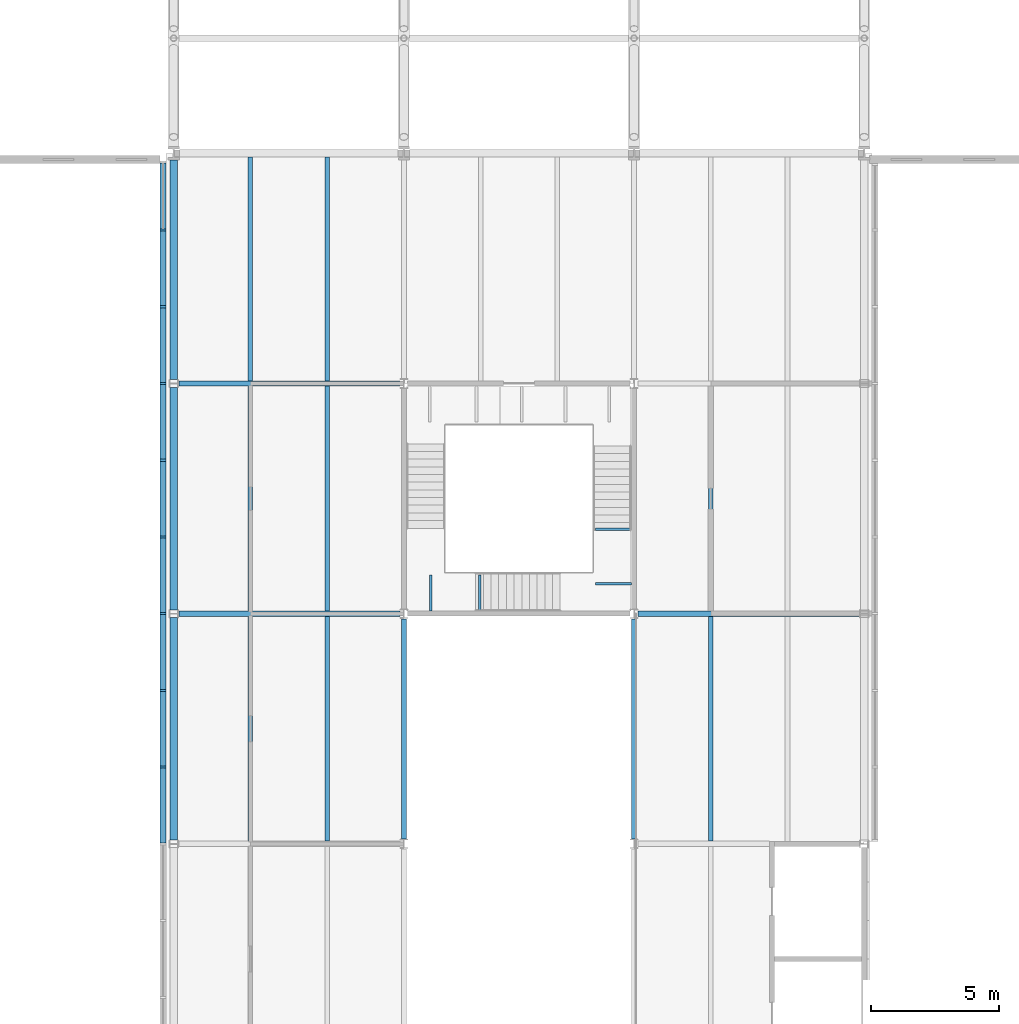
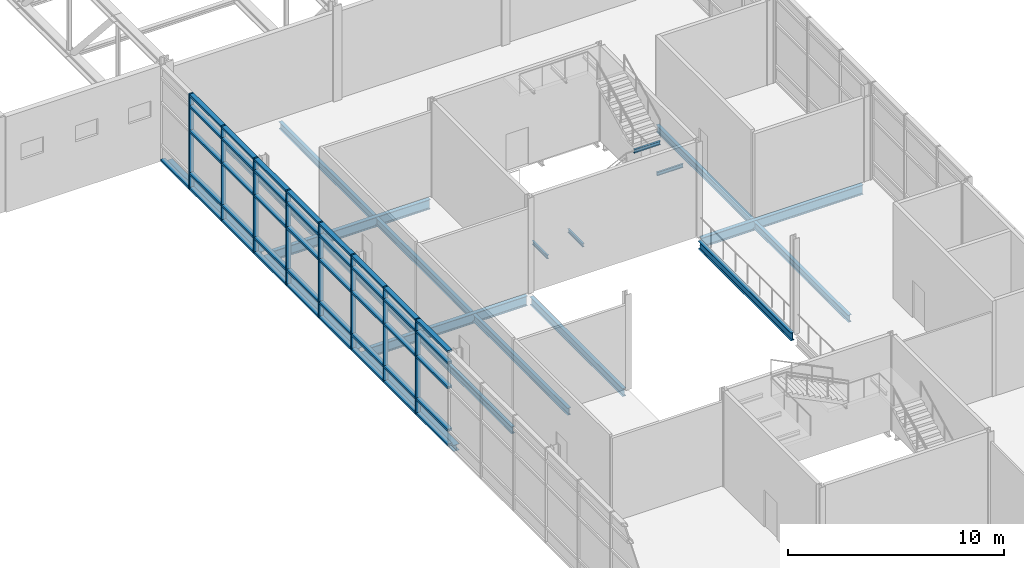
# One storey, part 17 of 53: 49 members, 20 beams, 1 element without a shape of its own.
"""IFC4 building model written with IfcOpenShell, lengths in metres."""

from ifc_helpers import new_model, si_unit, direction, frame, origin, origin_2d, place, context, subcontext, project, spatial, rectangle, i_section, extrude, material, material_profile, profile_set, type_object, element, aggregate, save


model = new_model("IFC4")

# Units and contexts
model_context = context("Model", 3, precision=1e-05, world=origin(), true_north=direction((0.0, 1.0)))
body_context = subcontext(model_context, "Body", "Model", "MODEL_VIEW")
ifc_project = project(units=[si_unit("LENGTHUNIT", "METRE"), si_unit("AREAUNIT", "SQUARE_METRE"), si_unit("VOLUMEUNIT", "CUBIC_METRE"), si_unit("PLANEANGLEUNIT", "RADIAN"), si_unit("MASSUNIT", "GRAM", prefix="KILO")], contexts=[model_context])

# Site, building, storey
site_placement = place(None, origin())
site = spatial("IfcSite", under=ifc_project, at=site_placement, CompositionType="ELEMENT")
building_placement = place(site_placement, origin())
building = spatial("IfcBuilding", under=site, at=building_placement, Name="Azimuth Sports and Learning Centre", CompositionType="ELEMENT")
storey_placement = place(building_placement, frame((0.0, 0.0, 10.800048828125)))
storey = spatial("IfcBuildingStorey", under=building, at=storey_placement, Name="L02", CompositionType="ELEMENT", Elevation=10.800048828125)

# Beams
ifc_material_1 = material(Name="Steel S355", Category="steel")
ifc_material_profile_1 = material_profile(ifc_material_1, i_section(OverallWidth=0.10009765625, OverallDepth=0.199951171875, WebThickness=0.005615234375, FlangeThickness=0.008544921875, FilletRadius=0.011962890625, at=origin_2d()), Name="IPE 200")
ifc_profile_set_1 = profile_set([ifc_material_profile_1], Name="Steel S355")
beam_type_1 = type_object("IfcBeamType", Name="Beam IPE 200", PredefinedType="BEAM", material=ifc_profile_set_1)
for number, where, z_axis, x_axis, name in (
    (1, (82.06005859375, 72.10009765625, 1.5), (0.0, 1.0, 0.0), (-1.0, 0.0, 0.0), "Landing bracket STD L02 1179"),
    (2, (83.9599609375, 72.10009765625, 1.5), (0.0, 1.0, 0.0), (-1.0, 0.0, 0.0), "Landing bracket STD L02 1180"),
    (3, (89.89990234375, 73.172607421875, 3.300048828125), (-1.0, 0.0, 0.0), (0.0, -1.0, 0.0), "Landing bracket STD L02 1181"),
    (4, (89.89990234375, 75.297607421875, 3.300048828125), (-1.0, 0.0, 0.0), (0.0, -1.0, 0.0), "Landing bracket STD L02 1182"),
):
    element("IfcBeam", number, at=place(storey_placement, frame(where, z_axis=z_axis, x_axis=x_axis)), inside=storey, type_object=beam_type_1, Name=name, PredefinedType="BEAM", context=body_context, shape_type="SweptSolid", body=[
        extrude(i_section(OverallWidth=0.10009765625, OverallDepth=0.199951171875, WebThickness=0.005615234375, FlangeThickness=0.008544921875, FilletRadius=0.011962890625, at=origin_2d()), origin(), (0.0, 0.0, 1.0), 1.409912109375),
    ])
ifc_material_2 = material(Name="Steel S355", Category="steel")
ifc_material_profile_2 = material_profile(ifc_material_2, i_section(OverallWidth=0.18994140625, OverallDepth=0.449951171875, WebThickness=0.009521484375, FlangeThickness=0.0146484375, FilletRadius=0.02099609375, at=origin_2d()), Name="IPE 450")
ifc_profile_set_2 = profile_set([ifc_material_profile_2], Name="Steel S355")
beam_type_2 = type_object("IfcBeamType", Name="Beam IPE 450", PredefinedType="BEAM", material=ifc_profile_set_2)
for number, where, z_axis, x_axis, name in (
    (5, (81.0, 63.199951171875, -0.375), (0.0, 1.0, 0.0), (-1.0, 0.0, 0.0), "Beam L02 ST 33"),
    (6, (90.0, 63.199951171875, -0.375), (0.0, 1.0, 0.0), (-1.0, 0.0, 0.0), "Beam L02 ST 39"),
):
    element("IfcBeam", number, at=place(storey_placement, frame(where, z_axis=z_axis, x_axis=x_axis)), inside=storey, type_object=beam_type_2, Name=name, PredefinedType="BEAM", context=body_context, shape_type="SweptSolid", body=[
        extrude(i_section(OverallWidth=0.18994140625, OverallDepth=0.449951171875, WebThickness=0.009521484375, FlangeThickness=0.0146484375, FilletRadius=0.02099609375, at=origin_2d()), origin(), (0.0, 0.0, 1.0), 8.60009765625),
    ])
ifc_material_3 = material(Name="Steel S355", Category="steel")
ifc_material_profile_3 = material_profile(ifc_material_3, i_section(OverallWidth=0.2099609375, OverallDepth=0.550048828125, WebThickness=0.010986328125, FlangeThickness=0.01708984375, FilletRadius=0.02392578125, at=origin_2d()), Name="IPE 550")
ifc_profile_set_3 = profile_set([ifc_material_profile_3], Name="Steel S355")
beam_type_3 = type_object("IfcBeamType", Name="Beam IPE 550", PredefinedType="BEAM", material=ifc_profile_set_3)
for number, where, z_axis, x_axis, name in (
    (7, (72.199951171875, 72.0, -0.425048828125), (1.0, 0.0, 0.0), (0.0, 1.0, 0.0), "Beam L02 ST 14"),
    (8, (90.14990234375, 72.0, -0.425048828125), (1.0, 0.0, 0.0), (0.0, 1.0, 0.0), "Beam L02 ST 15"),
    (9, (72.199951171875, 81.0, -0.425048828125), (1.0, 0.0, 0.0), (0.0, 1.0, 0.0), "Beam L02 ST 16"),
):
    element("IfcBeam", number, at=place(storey_placement, frame(where, z_axis=z_axis, x_axis=x_axis)), inside=storey, type_object=beam_type_3, Name=name, PredefinedType="BEAM", context=body_context, shape_type="SweptSolid", body=[
        extrude(i_section(OverallWidth=0.2099609375, OverallDepth=0.550048828125, WebThickness=0.010986328125, FlangeThickness=0.01708984375, FilletRadius=0.02392578125, at=origin_2d()), origin(), (0.0, 0.0, 1.0), 8.650146484375),
    ])
ifc_material_4 = material(Name="Steel S355", Category="steel")
ifc_material_profile_4 = material_profile(ifc_material_4, i_section(OverallWidth=0.300048828125, OverallDepth=0.35009765625, WebThickness=0.010009765625, FlangeThickness=0.017578125, FilletRadius=0.027099609375, at=origin_2d()), Name="HEA 360")
ifc_profile_set_4 = profile_set([ifc_material_profile_4], Name="Steel S355")
beam_type_4 = type_object("IfcBeamType", Name="Edge beam HEA 360", PredefinedType="SPANDREL", material=ifc_profile_set_4)
for number, where, z_axis, x_axis, name in (
    (10, (72.0, 63.14990234375, -0.324951171875), (0.0, 1.0, 0.0), (-1.0, 0.0, 0.0), "Edge beam L02 ST 26"),
    (11, (72.0, 72.14990234375, -0.324951171875), (0.0, 1.0, 0.0), (-1.0, 0.0, 0.0), "Edge beam L02 ST 27"),
):
    element("IfcBeam", number, at=place(storey_placement, frame(where, z_axis=z_axis, x_axis=x_axis)), inside=storey, type_object=beam_type_4, Name=name, PredefinedType="SPANDREL", context=body_context, shape_type="SweptSolid", body=[
        extrude(i_section(OverallWidth=0.300048828125, OverallDepth=0.35009765625, WebThickness=0.010009765625, FlangeThickness=0.017578125, FilletRadius=0.027099609375, at=origin_2d()), origin(), (0.0, 0.0, 1.0), 8.7001953125),
    ])
beam_1_placement = place(storey_placement, frame((72.0, 81.14990234375, -0.324951171875), z_axis=(0.0, 1.0, 0.0), x_axis=(-1.0, 0.0, 0.0)))
element("IfcBeam", 12, at=beam_1_placement, inside=storey, type_object=beam_type_4, Name="Edge beam L02 ST 28", PredefinedType="SPANDREL", context=body_context, shape_type="SweptSolid", body=[
    extrude(i_section(OverallWidth=0.300048828125, OverallDepth=0.35009765625, WebThickness=0.010009765625, FlangeThickness=0.017578125, FilletRadius=0.027099609375, at=origin_2d()), origin(), (0.0, 0.0, 1.0), 8.584716796875),
])
ifc_material_5 = material(Name="Steel S355", Category="steel")
ifc_material_profile_5 = material_profile(ifc_material_5, i_section(OverallWidth=0.179931640625, OverallDepth=0.39990234375, WebThickness=0.008544921875, FlangeThickness=0.013427734375, FilletRadius=0.02099609375, at=origin_2d()), Name="IPE 400")
ifc_profile_set_5 = profile_set([ifc_material_profile_5], Name="Steel S355")
beam_type_5 = type_object("IfcBeamType", Name="Joist IPE 400", PredefinedType="JOIST", material=ifc_profile_set_5)
for number, where, z_axis, x_axis, name in (
    (13, (75.0, 63.10498046875, -0.35009765625), (0.0, 1.0, 0.0), (-1.0, 0.0, 0.0), "Joist L02 ST 53"),
    (14, (75.0, 72.10498046875, -0.35009765625), (0.0, 1.0, 0.0), (-1.0, 0.0, 0.0), "Joist L02 ST 54"),
):
    element("IfcBeam", number, at=place(storey_placement, frame(where, z_axis=z_axis, x_axis=x_axis)), inside=storey, type_object=beam_type_5, Name=name, PredefinedType="JOIST", context=body_context, shape_type="SweptSolid", body=[
        extrude(i_section(OverallWidth=0.179931640625, OverallDepth=0.39990234375, WebThickness=0.008544921875, FlangeThickness=0.013427734375, FilletRadius=0.02099609375, at=origin_2d()), origin(), (0.0, 0.0, 1.0), 8.7900390625),
    ])
beam_2_placement = place(storey_placement, frame((75.0, 81.10498046875, -0.35009765625), z_axis=(0.0, 1.0, 0.0), x_axis=(-1.0, 0.0, 0.0)))
element("IfcBeam", 15, at=beam_2_placement, inside=storey, type_object=beam_type_5, Name="Joist L02 ST 55", PredefinedType="JOIST", context=body_context, shape_type="SweptSolid", body=[
    extrude(i_section(OverallWidth=0.179931640625, OverallDepth=0.39990234375, WebThickness=0.008544921875, FlangeThickness=0.013427734375, FilletRadius=0.02099609375, at=origin_2d()), origin(), (0.0, 0.0, 1.0), 8.7451171875),
])
for number, where, z_axis, x_axis, name in (
    (16, (78.0, 63.10498046875, -0.35009765625), (0.0, 1.0, 0.0), (-1.0, 0.0, 0.0), "Joist L02 ST 61"),
    (17, (78.0, 72.10498046875, -0.35009765625), (0.0, 1.0, 0.0), (-1.0, 0.0, 0.0), "Joist L02 ST 62"),
):
    element("IfcBeam", number, at=place(storey_placement, frame(where, z_axis=z_axis, x_axis=x_axis)), inside=storey, type_object=beam_type_5, Name=name, PredefinedType="JOIST", context=body_context, shape_type="SweptSolid", body=[
        extrude(i_section(OverallWidth=0.179931640625, OverallDepth=0.39990234375, WebThickness=0.008544921875, FlangeThickness=0.013427734375, FilletRadius=0.02099609375, at=origin_2d()), origin(), (0.0, 0.0, 1.0), 8.7900390625),
    ])
beam_3_placement = place(storey_placement, frame((78.0, 81.10498046875, -0.35009765625), z_axis=(0.0, 1.0, 0.0), x_axis=(-1.0, 0.0, 0.0)))
element("IfcBeam", 18, at=beam_3_placement, inside=storey, type_object=beam_type_5, Name="Joist L02 ST 63", PredefinedType="JOIST", context=body_context, shape_type="SweptSolid", body=[
    extrude(i_section(OverallWidth=0.179931640625, OverallDepth=0.39990234375, WebThickness=0.008544921875, FlangeThickness=0.013427734375, FilletRadius=0.02099609375, at=origin_2d()), origin(), (0.0, 0.0, 1.0), 8.7451171875),
])
for number, where, z_axis, x_axis, name in (
    (19, (93.0, 63.10498046875, -0.35009765625), (0.0, 1.0, 0.0), (-1.0, 0.0, 0.0), "Joist L02 ST 81"),
    (20, (93.0, 72.10498046875, -0.35009765625), (0.0, 1.0, 0.0), (-1.0, 0.0, 0.0), "Joist L02 ST 82"),
):
    element("IfcBeam", number, at=place(storey_placement, frame(where, z_axis=z_axis, x_axis=x_axis)), inside=storey, type_object=beam_type_5, Name=name, PredefinedType="JOIST", context=body_context, shape_type="SweptSolid", body=[
        extrude(i_section(OverallWidth=0.179931640625, OverallDepth=0.39990234375, WebThickness=0.008544921875, FlangeThickness=0.013427734375, FilletRadius=0.02099609375, at=origin_2d()), origin(), (0.0, 0.0, 1.0), 8.7900390625),
    ])

# Curtain wall, members
ifc_material_6 = material(Name="Aluminium and glass", Category="aluminium")
curtain_wall_type = type_object("IfcCurtainWallType", Name="Curtain wall podium stem 240", PredefinedType="NOTDEFINED", material=ifc_material_6)
curtain_wall_placement = place(storey_placement, origin())
curtain_wall = element("IfcCurtainWall", 21, at=curtain_wall_placement, inside=storey, type_object=curtain_wall_type, Name="Curtain wall CW02-003", PredefinedType="NOTDEFINED")
ifc_material_7 = material(Name="Aluminium", Category="aluminium")
ifc_material_profile_6 = material_profile(ifc_material_7, rectangle(XDim=0.239990234375, YDim=0.080078125, at=origin_2d()), Name="Mullion 80x240")
ifc_profile_set_6 = profile_set([ifc_material_profile_6], Name="Aluminium")
member_type_1 = type_object("IfcMemberType", Name="Mullion 80x240", PredefinedType="MULLION", material=ifc_profile_set_6)
member_1_placement = place(storey_placement, frame((71.580078125, 87.0, 0.0), z_axis=(0.0, 0.0, 1.0), x_axis=(1.0, 0.0, 0.0)))
member_1 = element("IfcMember", 22, at=member_1_placement, type_object=member_type_1, Name="CW02-003 mullion 2", PredefinedType="MULLION", context=body_context, shape_type="SweptSolid", body=[
    extrude(rectangle(XDim=0.239990234375, YDim=0.080078125, at=origin_2d()), origin(), (0.0, 0.0, 1.0), 5.39990234375),
])
member_2_placement = place(storey_placement, frame((71.580078125, 84.0, 0.0), z_axis=(0.0, 0.0, 1.0), x_axis=(1.0, 0.0, 0.0)))
member_2 = element("IfcMember", 23, at=member_2_placement, type_object=member_type_1, Name="CW02-003 mullion 3", PredefinedType="MULLION", context=body_context, shape_type="SweptSolid", body=[
    extrude(rectangle(XDim=0.239990234375, YDim=0.080078125, at=origin_2d()), origin(), (0.0, 0.0, 1.0), 5.39990234375),
])
member_3_placement = place(storey_placement, frame((71.580078125, 81.0, 0.0), z_axis=(0.0, 0.0, 1.0), x_axis=(1.0, 0.0, 0.0)))
member_3 = element("IfcMember", 24, at=member_3_placement, type_object=member_type_1, Name="CW02-003 mullion 4", PredefinedType="MULLION", context=body_context, shape_type="SweptSolid", body=[
    extrude(rectangle(XDim=0.239990234375, YDim=0.080078125, at=origin_2d()), origin(), (0.0, 0.0, 1.0), 5.39990234375),
])
member_4_placement = place(storey_placement, frame((71.580078125, 78.0, 0.0), z_axis=(0.0, 0.0, 1.0), x_axis=(1.0, 0.0, 0.0)))
member_4 = element("IfcMember", 25, at=member_4_placement, type_object=member_type_1, Name="CW02-003 mullion 5", PredefinedType="MULLION", context=body_context, shape_type="SweptSolid", body=[
    extrude(rectangle(XDim=0.239990234375, YDim=0.080078125, at=origin_2d()), origin(), (0.0, 0.0, 1.0), 5.39990234375),
])
member_5_placement = place(storey_placement, frame((71.580078125, 75.0, 0.0), z_axis=(0.0, 0.0, 1.0), x_axis=(1.0, 0.0, 0.0)))
member_5 = element("IfcMember", 26, at=member_5_placement, type_object=member_type_1, Name="CW02-003 mullion 6", PredefinedType="MULLION", context=body_context, shape_type="SweptSolid", body=[
    extrude(rectangle(XDim=0.239990234375, YDim=0.080078125, at=origin_2d()), origin(), (0.0, 0.0, 1.0), 5.39990234375),
])
member_6_placement = place(storey_placement, frame((71.580078125, 72.0, 0.0), z_axis=(0.0, 0.0, 1.0), x_axis=(1.0, 0.0, 0.0)))
member_6 = element("IfcMember", 27, at=member_6_placement, type_object=member_type_1, Name="CW02-003 mullion 7", PredefinedType="MULLION", context=body_context, shape_type="SweptSolid", body=[
    extrude(rectangle(XDim=0.239990234375, YDim=0.080078125, at=origin_2d()), origin(), (0.0, 0.0, 1.0), 5.39990234375),
])
member_7_placement = place(storey_placement, frame((71.580078125, 69.0, 0.0), z_axis=(0.0, 0.0, 1.0), x_axis=(1.0, 0.0, 0.0)))
member_7 = element("IfcMember", 28, at=member_7_placement, type_object=member_type_1, Name="CW02-003 mullion 8", PredefinedType="MULLION", context=body_context, shape_type="SweptSolid", body=[
    extrude(rectangle(XDim=0.239990234375, YDim=0.080078125, at=origin_2d()), origin(), (0.0, 0.0, 1.0), 5.39990234375),
])
member_8_placement = place(storey_placement, frame((71.580078125, 66.0, 0.0), z_axis=(0.0, 0.0, 1.0), x_axis=(1.0, 0.0, 0.0)))
member_8 = element("IfcMember", 29, at=member_8_placement, type_object=member_type_1, Name="CW02-003 mullion 9", PredefinedType="MULLION", context=body_context, shape_type="SweptSolid", body=[
    extrude(rectangle(XDim=0.239990234375, YDim=0.080078125, at=origin_2d()), origin(), (0.0, 0.0, 1.0), 5.39990234375),
])
ifc_material_8 = material(Name="Aluminium", Category="aluminium")
ifc_material_profile_7 = material_profile(ifc_material_8, rectangle(XDim=0.239990234375, YDim=0.1201171875, at=origin_2d()), Name="Transom 120x240")
ifc_profile_set_7 = profile_set([ifc_material_profile_7], Name="Aluminium")
member_type_2 = type_object("IfcMemberType", Name="Transom 120x240", PredefinedType="USERDEFINED", material=ifc_profile_set_7)
member_9_placement = place(storey_placement, frame((71.580078125, 89.6201171875, 0.06005859375), z_axis=(0.0, -1.0, 0.0), x_axis=(1.0, 0.0, 0.0)))
member_9 = element("IfcMember", 30, at=member_9_placement, type_object=member_type_2, Name="CW02-003 transom 1.1", ObjectType="TRANSOM", PredefinedType="USERDEFINED", context=body_context, shape_type="SweptSolid", body=[
    extrude(rectangle(XDim=0.239990234375, YDim=0.1201171875, at=origin_2d()), origin(), (0.0, 0.0, 1.0), 2.580078125),
])
member_10_placement = place(storey_placement, frame((71.580078125, 86.9599609375, 0.06005859375), z_axis=(0.0, -1.0, 0.0), x_axis=(1.0, 0.0, 0.0)))
member_10 = element("IfcMember", 31, at=member_10_placement, type_object=member_type_2, Name="CW02-003 transom 2.1", ObjectType="TRANSOM", PredefinedType="USERDEFINED", context=body_context, shape_type="SweptSolid", body=[
    extrude(rectangle(XDim=0.239990234375, YDim=0.1201171875, at=origin_2d()), origin(), (0.0, 0.0, 1.0), 2.919921875),
])
member_11_placement = place(storey_placement, frame((71.580078125, 86.9599609375, 0.89990234375), z_axis=(0.0, -1.0, 0.0), x_axis=(1.0, 0.0, 0.0)))
member_11 = element("IfcMember", 32, at=member_11_placement, type_object=member_type_2, Name="CW02-003 transom 2.2", ObjectType="TRANSOM", PredefinedType="USERDEFINED", context=body_context, shape_type="SweptSolid", body=[
    extrude(rectangle(XDim=0.239990234375, YDim=0.1201171875, at=origin_2d()), origin(), (0.0, 0.0, 1.0), 2.919921875),
])
member_12_placement = place(storey_placement, frame((71.580078125, 86.9599609375, 3.300048828125), z_axis=(0.0, -1.0, 0.0), x_axis=(1.0, 0.0, 0.0)))
member_12 = element("IfcMember", 33, at=member_12_placement, type_object=member_type_2, Name="CW02-003 transom 2.3", ObjectType="TRANSOM", PredefinedType="USERDEFINED", context=body_context, shape_type="SweptSolid", body=[
    extrude(rectangle(XDim=0.239990234375, YDim=0.1201171875, at=origin_2d()), origin(), (0.0, 0.0, 1.0), 2.919921875),
])
member_13_placement = place(storey_placement, frame((71.580078125, 86.9599609375, 4.699951171875), z_axis=(0.0, -1.0, 0.0), x_axis=(1.0, 0.0, 0.0)))
member_13 = element("IfcMember", 34, at=member_13_placement, type_object=member_type_2, Name="CW02-003 transom 2.4", ObjectType="TRANSOM", PredefinedType="USERDEFINED", context=body_context, shape_type="SweptSolid", body=[
    extrude(rectangle(XDim=0.239990234375, YDim=0.1201171875, at=origin_2d()), origin(), (0.0, 0.0, 1.0), 2.919921875),
])
member_14_placement = place(storey_placement, frame((71.580078125, 86.9599609375, 5.33984375), z_axis=(0.0, -1.0, 0.0), x_axis=(1.0, 0.0, 0.0)))
member_14 = element("IfcMember", 35, at=member_14_placement, type_object=member_type_2, Name="CW02-003 transom 2.5", ObjectType="TRANSOM", PredefinedType="USERDEFINED", context=body_context, shape_type="SweptSolid", body=[
    extrude(rectangle(XDim=0.239990234375, YDim=0.1201171875, at=origin_2d()), origin(), (0.0, 0.0, 1.0), 2.919921875),
])
member_15_placement = place(storey_placement, frame((71.580078125, 83.9599609375, 0.06005859375), z_axis=(0.0, -1.0, 0.0), x_axis=(1.0, 0.0, 0.0)))
member_15 = element("IfcMember", 36, at=member_15_placement, type_object=member_type_2, Name="CW02-003 transom 3.1", ObjectType="TRANSOM", PredefinedType="USERDEFINED", context=body_context, shape_type="SweptSolid", body=[
    extrude(rectangle(XDim=0.239990234375, YDim=0.1201171875, at=origin_2d()), origin(), (0.0, 0.0, 1.0), 2.919921875),
])
member_16_placement = place(storey_placement, frame((71.580078125, 83.9599609375, 0.89990234375), z_axis=(0.0, -1.0, 0.0), x_axis=(1.0, 0.0, 0.0)))
member_16 = element("IfcMember", 37, at=member_16_placement, type_object=member_type_2, Name="CW02-003 transom 3.2", ObjectType="TRANSOM", PredefinedType="USERDEFINED", context=body_context, shape_type="SweptSolid", body=[
    extrude(rectangle(XDim=0.239990234375, YDim=0.1201171875, at=origin_2d()), origin(), (0.0, 0.0, 1.0), 2.919921875),
])
member_17_placement = place(storey_placement, frame((71.580078125, 83.9599609375, 3.300048828125), z_axis=(0.0, -1.0, 0.0), x_axis=(1.0, 0.0, 0.0)))
member_17 = element("IfcMember", 38, at=member_17_placement, type_object=member_type_2, Name="CW02-003 transom 3.3", ObjectType="TRANSOM", PredefinedType="USERDEFINED", context=body_context, shape_type="SweptSolid", body=[
    extrude(rectangle(XDim=0.239990234375, YDim=0.1201171875, at=origin_2d()), origin(), (0.0, 0.0, 1.0), 2.919921875),
])
member_18_placement = place(storey_placement, frame((71.580078125, 83.9599609375, 4.699951171875), z_axis=(0.0, -1.0, 0.0), x_axis=(1.0, 0.0, 0.0)))
member_18 = element("IfcMember", 39, at=member_18_placement, type_object=member_type_2, Name="CW02-003 transom 3.4", ObjectType="TRANSOM", PredefinedType="USERDEFINED", context=body_context, shape_type="SweptSolid", body=[
    extrude(rectangle(XDim=0.239990234375, YDim=0.1201171875, at=origin_2d()), origin(), (0.0, 0.0, 1.0), 2.919921875),
])
member_19_placement = place(storey_placement, frame((71.580078125, 83.9599609375, 5.33984375), z_axis=(0.0, -1.0, 0.0), x_axis=(1.0, 0.0, 0.0)))
member_19 = element("IfcMember", 40, at=member_19_placement, type_object=member_type_2, Name="CW02-003 transom 3.5", ObjectType="TRANSOM", PredefinedType="USERDEFINED", context=body_context, shape_type="SweptSolid", body=[
    extrude(rectangle(XDim=0.239990234375, YDim=0.1201171875, at=origin_2d()), origin(), (0.0, 0.0, 1.0), 2.919921875),
])
member_20_placement = place(storey_placement, frame((71.580078125, 80.9599609375, 0.06005859375), z_axis=(0.0, -1.0, 0.0), x_axis=(1.0, 0.0, 0.0)))
member_20 = element("IfcMember", 41, at=member_20_placement, type_object=member_type_2, Name="CW02-003 transom 4.1", ObjectType="TRANSOM", PredefinedType="USERDEFINED", context=body_context, shape_type="SweptSolid", body=[
    extrude(rectangle(XDim=0.239990234375, YDim=0.1201171875, at=origin_2d()), origin(), (0.0, 0.0, 1.0), 2.919921875),
])
member_21_placement = place(storey_placement, frame((71.580078125, 80.9599609375, 0.89990234375), z_axis=(0.0, -1.0, 0.0), x_axis=(1.0, 0.0, 0.0)))
member_21 = element("IfcMember", 42, at=member_21_placement, type_object=member_type_2, Name="CW02-003 transom 4.2", ObjectType="TRANSOM", PredefinedType="USERDEFINED", context=body_context, shape_type="SweptSolid", body=[
    extrude(rectangle(XDim=0.239990234375, YDim=0.1201171875, at=origin_2d()), origin(), (0.0, 0.0, 1.0), 2.919921875),
])
member_22_placement = place(storey_placement, frame((71.580078125, 80.9599609375, 3.300048828125), z_axis=(0.0, -1.0, 0.0), x_axis=(1.0, 0.0, 0.0)))
member_22 = element("IfcMember", 43, at=member_22_placement, type_object=member_type_2, Name="CW02-003 transom 4.3", ObjectType="TRANSOM", PredefinedType="USERDEFINED", context=body_context, shape_type="SweptSolid", body=[
    extrude(rectangle(XDim=0.239990234375, YDim=0.1201171875, at=origin_2d()), origin(), (0.0, 0.0, 1.0), 2.919921875),
])
member_23_placement = place(storey_placement, frame((71.580078125, 80.9599609375, 4.699951171875), z_axis=(0.0, -1.0, 0.0), x_axis=(1.0, 0.0, 0.0)))
member_23 = element("IfcMember", 44, at=member_23_placement, type_object=member_type_2, Name="CW02-003 transom 4.4", ObjectType="TRANSOM", PredefinedType="USERDEFINED", context=body_context, shape_type="SweptSolid", body=[
    extrude(rectangle(XDim=0.239990234375, YDim=0.1201171875, at=origin_2d()), origin(), (0.0, 0.0, 1.0), 2.919921875),
])
member_24_placement = place(storey_placement, frame((71.580078125, 80.9599609375, 5.33984375), z_axis=(0.0, -1.0, 0.0), x_axis=(1.0, 0.0, 0.0)))
member_24 = element("IfcMember", 45, at=member_24_placement, type_object=member_type_2, Name="CW02-003 transom 4.5", ObjectType="TRANSOM", PredefinedType="USERDEFINED", context=body_context, shape_type="SweptSolid", body=[
    extrude(rectangle(XDim=0.239990234375, YDim=0.1201171875, at=origin_2d()), origin(), (0.0, 0.0, 1.0), 2.919921875),
])
member_25_placement = place(storey_placement, frame((71.580078125, 77.9599609375, 0.06005859375), z_axis=(0.0, -1.0, 0.0), x_axis=(1.0, 0.0, 0.0)))
member_25 = element("IfcMember", 46, at=member_25_placement, type_object=member_type_2, Name="CW02-003 transom 5.1", ObjectType="TRANSOM", PredefinedType="USERDEFINED", context=body_context, shape_type="SweptSolid", body=[
    extrude(rectangle(XDim=0.239990234375, YDim=0.1201171875, at=origin_2d()), origin(), (0.0, 0.0, 1.0), 2.919921875),
])
member_26_placement = place(storey_placement, frame((71.580078125, 77.9599609375, 0.89990234375), z_axis=(0.0, -1.0, 0.0), x_axis=(1.0, 0.0, 0.0)))
member_26 = element("IfcMember", 47, at=member_26_placement, type_object=member_type_2, Name="CW02-003 transom 5.2", ObjectType="TRANSOM", PredefinedType="USERDEFINED", context=body_context, shape_type="SweptSolid", body=[
    extrude(rectangle(XDim=0.239990234375, YDim=0.1201171875, at=origin_2d()), origin(), (0.0, 0.0, 1.0), 2.919921875),
])
member_27_placement = place(storey_placement, frame((71.580078125, 77.9599609375, 3.300048828125), z_axis=(0.0, -1.0, 0.0), x_axis=(1.0, 0.0, 0.0)))
member_27 = element("IfcMember", 48, at=member_27_placement, type_object=member_type_2, Name="CW02-003 transom 5.3", ObjectType="TRANSOM", PredefinedType="USERDEFINED", context=body_context, shape_type="SweptSolid", body=[
    extrude(rectangle(XDim=0.239990234375, YDim=0.1201171875, at=origin_2d()), origin(), (0.0, 0.0, 1.0), 2.919921875),
])
member_28_placement = place(storey_placement, frame((71.580078125, 77.9599609375, 4.699951171875), z_axis=(0.0, -1.0, 0.0), x_axis=(1.0, 0.0, 0.0)))
member_28 = element("IfcMember", 49, at=member_28_placement, type_object=member_type_2, Name="CW02-003 transom 5.4", ObjectType="TRANSOM", PredefinedType="USERDEFINED", context=body_context, shape_type="SweptSolid", body=[
    extrude(rectangle(XDim=0.239990234375, YDim=0.1201171875, at=origin_2d()), origin(), (0.0, 0.0, 1.0), 2.919921875),
])
member_29_placement = place(storey_placement, frame((71.580078125, 77.9599609375, 5.33984375), z_axis=(0.0, -1.0, 0.0), x_axis=(1.0, 0.0, 0.0)))
member_29 = element("IfcMember", 50, at=member_29_placement, type_object=member_type_2, Name="CW02-003 transom 5.5", ObjectType="TRANSOM", PredefinedType="USERDEFINED", context=body_context, shape_type="SweptSolid", body=[
    extrude(rectangle(XDim=0.239990234375, YDim=0.1201171875, at=origin_2d()), origin(), (0.0, 0.0, 1.0), 2.919921875),
])
member_30_placement = place(storey_placement, frame((71.580078125, 74.9599609375, 0.06005859375), z_axis=(0.0, -1.0, 0.0), x_axis=(1.0, 0.0, 0.0)))
member_30 = element("IfcMember", 51, at=member_30_placement, type_object=member_type_2, Name="CW02-003 transom 6.1", ObjectType="TRANSOM", PredefinedType="USERDEFINED", context=body_context, shape_type="SweptSolid", body=[
    extrude(rectangle(XDim=0.239990234375, YDim=0.1201171875, at=origin_2d()), origin(), (0.0, 0.0, 1.0), 2.919921875),
])
member_31_placement = place(storey_placement, frame((71.580078125, 74.9599609375, 0.89990234375), z_axis=(0.0, -1.0, 0.0), x_axis=(1.0, 0.0, 0.0)))
member_31 = element("IfcMember", 52, at=member_31_placement, type_object=member_type_2, Name="CW02-003 transom 6.2", ObjectType="TRANSOM", PredefinedType="USERDEFINED", context=body_context, shape_type="SweptSolid", body=[
    extrude(rectangle(XDim=0.239990234375, YDim=0.1201171875, at=origin_2d()), origin(), (0.0, 0.0, 1.0), 2.919921875),
])
member_32_placement = place(storey_placement, frame((71.580078125, 74.9599609375, 3.300048828125), z_axis=(0.0, -1.0, 0.0), x_axis=(1.0, 0.0, 0.0)))
member_32 = element("IfcMember", 53, at=member_32_placement, type_object=member_type_2, Name="CW02-003 transom 6.3", ObjectType="TRANSOM", PredefinedType="USERDEFINED", context=body_context, shape_type="SweptSolid", body=[
    extrude(rectangle(XDim=0.239990234375, YDim=0.1201171875, at=origin_2d()), origin(), (0.0, 0.0, 1.0), 2.919921875),
])
member_33_placement = place(storey_placement, frame((71.580078125, 74.9599609375, 4.699951171875), z_axis=(0.0, -1.0, 0.0), x_axis=(1.0, 0.0, 0.0)))
member_33 = element("IfcMember", 54, at=member_33_placement, type_object=member_type_2, Name="CW02-003 transom 6.4", ObjectType="TRANSOM", PredefinedType="USERDEFINED", context=body_context, shape_type="SweptSolid", body=[
    extrude(rectangle(XDim=0.239990234375, YDim=0.1201171875, at=origin_2d()), origin(), (0.0, 0.0, 1.0), 2.919921875),
])
member_34_placement = place(storey_placement, frame((71.580078125, 74.9599609375, 5.33984375), z_axis=(0.0, -1.0, 0.0), x_axis=(1.0, 0.0, 0.0)))
member_34 = element("IfcMember", 55, at=member_34_placement, type_object=member_type_2, Name="CW02-003 transom 6.5", ObjectType="TRANSOM", PredefinedType="USERDEFINED", context=body_context, shape_type="SweptSolid", body=[
    extrude(rectangle(XDim=0.239990234375, YDim=0.1201171875, at=origin_2d()), origin(), (0.0, 0.0, 1.0), 2.919921875),
])
member_35_placement = place(storey_placement, frame((71.580078125, 71.9599609375, 0.06005859375), z_axis=(0.0, -1.0, 0.0), x_axis=(1.0, 0.0, 0.0)))
member_35 = element("IfcMember", 56, at=member_35_placement, type_object=member_type_2, Name="CW02-003 transom 7.1", ObjectType="TRANSOM", PredefinedType="USERDEFINED", context=body_context, shape_type="SweptSolid", body=[
    extrude(rectangle(XDim=0.239990234375, YDim=0.1201171875, at=origin_2d()), origin(), (0.0, 0.0, 1.0), 2.919921875),
])
member_36_placement = place(storey_placement, frame((71.580078125, 71.9599609375, 0.89990234375), z_axis=(0.0, -1.0, 0.0), x_axis=(1.0, 0.0, 0.0)))
member_36 = element("IfcMember", 57, at=member_36_placement, type_object=member_type_2, Name="CW02-003 transom 7.2", ObjectType="TRANSOM", PredefinedType="USERDEFINED", context=body_context, shape_type="SweptSolid", body=[
    extrude(rectangle(XDim=0.239990234375, YDim=0.1201171875, at=origin_2d()), origin(), (0.0, 0.0, 1.0), 2.919921875),
])
member_37_placement = place(storey_placement, frame((71.580078125, 71.9599609375, 3.300048828125), z_axis=(0.0, -1.0, 0.0), x_axis=(1.0, 0.0, 0.0)))
member_37 = element("IfcMember", 58, at=member_37_placement, type_object=member_type_2, Name="CW02-003 transom 7.3", ObjectType="TRANSOM", PredefinedType="USERDEFINED", context=body_context, shape_type="SweptSolid", body=[
    extrude(rectangle(XDim=0.239990234375, YDim=0.1201171875, at=origin_2d()), origin(), (0.0, 0.0, 1.0), 2.919921875),
])
member_38_placement = place(storey_placement, frame((71.580078125, 71.9599609375, 4.699951171875), z_axis=(0.0, -1.0, 0.0), x_axis=(1.0, 0.0, 0.0)))
member_38 = element("IfcMember", 59, at=member_38_placement, type_object=member_type_2, Name="CW02-003 transom 7.4", ObjectType="TRANSOM", PredefinedType="USERDEFINED", context=body_context, shape_type="SweptSolid", body=[
    extrude(rectangle(XDim=0.239990234375, YDim=0.1201171875, at=origin_2d()), origin(), (0.0, 0.0, 1.0), 2.919921875),
])
member_39_placement = place(storey_placement, frame((71.580078125, 71.9599609375, 5.33984375), z_axis=(0.0, -1.0, 0.0), x_axis=(1.0, 0.0, 0.0)))
member_39 = element("IfcMember", 60, at=member_39_placement, type_object=member_type_2, Name="CW02-003 transom 7.5", ObjectType="TRANSOM", PredefinedType="USERDEFINED", context=body_context, shape_type="SweptSolid", body=[
    extrude(rectangle(XDim=0.239990234375, YDim=0.1201171875, at=origin_2d()), origin(), (0.0, 0.0, 1.0), 2.919921875),
])
member_40_placement = place(storey_placement, frame((71.580078125, 68.9599609375, 0.06005859375), z_axis=(0.0, -1.0, 0.0), x_axis=(1.0, 0.0, 0.0)))
member_40 = element("IfcMember", 61, at=member_40_placement, type_object=member_type_2, Name="CW02-003 transom 8.1", ObjectType="TRANSOM", PredefinedType="USERDEFINED", context=body_context, shape_type="SweptSolid", body=[
    extrude(rectangle(XDim=0.239990234375, YDim=0.1201171875, at=origin_2d()), origin(), (0.0, 0.0, 1.0), 2.919921875),
])
member_41_placement = place(storey_placement, frame((71.580078125, 68.9599609375, 0.89990234375), z_axis=(0.0, -1.0, 0.0), x_axis=(1.0, 0.0, 0.0)))
member_41 = element("IfcMember", 62, at=member_41_placement, type_object=member_type_2, Name="CW02-003 transom 8.2", ObjectType="TRANSOM", PredefinedType="USERDEFINED", context=body_context, shape_type="SweptSolid", body=[
    extrude(rectangle(XDim=0.239990234375, YDim=0.1201171875, at=origin_2d()), origin(), (0.0, 0.0, 1.0), 2.919921875),
])
member_42_placement = place(storey_placement, frame((71.580078125, 68.9599609375, 3.300048828125), z_axis=(0.0, -1.0, 0.0), x_axis=(1.0, 0.0, 0.0)))
member_42 = element("IfcMember", 63, at=member_42_placement, type_object=member_type_2, Name="CW02-003 transom 8.3", ObjectType="TRANSOM", PredefinedType="USERDEFINED", context=body_context, shape_type="SweptSolid", body=[
    extrude(rectangle(XDim=0.239990234375, YDim=0.1201171875, at=origin_2d()), origin(), (0.0, 0.0, 1.0), 2.919921875),
])
member_43_placement = place(storey_placement, frame((71.580078125, 68.9599609375, 4.699951171875), z_axis=(0.0, -1.0, 0.0), x_axis=(1.0, 0.0, 0.0)))
member_43 = element("IfcMember", 64, at=member_43_placement, type_object=member_type_2, Name="CW02-003 transom 8.4", ObjectType="TRANSOM", PredefinedType="USERDEFINED", context=body_context, shape_type="SweptSolid", body=[
    extrude(rectangle(XDim=0.239990234375, YDim=0.1201171875, at=origin_2d()), origin(), (0.0, 0.0, 1.0), 2.919921875),
])
member_44_placement = place(storey_placement, frame((71.580078125, 68.9599609375, 5.33984375), z_axis=(0.0, -1.0, 0.0), x_axis=(1.0, 0.0, 0.0)))
member_44 = element("IfcMember", 65, at=member_44_placement, type_object=member_type_2, Name="CW02-003 transom 8.5", ObjectType="TRANSOM", PredefinedType="USERDEFINED", context=body_context, shape_type="SweptSolid", body=[
    extrude(rectangle(XDim=0.239990234375, YDim=0.1201171875, at=origin_2d()), origin(), (0.0, 0.0, 1.0), 2.919921875),
])
member_45_placement = place(storey_placement, frame((71.580078125, 65.9599609375, 0.06005859375), z_axis=(0.0, -1.0, 0.0), x_axis=(1.0, 0.0, 0.0)))
member_45 = element("IfcMember", 66, at=member_45_placement, type_object=member_type_2, Name="CW02-003 transom 9.1", ObjectType="TRANSOM", PredefinedType="USERDEFINED", context=body_context, shape_type="SweptSolid", body=[
    extrude(rectangle(XDim=0.239990234375, YDim=0.1201171875, at=origin_2d()), origin(), (0.0, 0.0, 1.0), 2.919921875),
])
member_46_placement = place(storey_placement, frame((71.580078125, 65.9599609375, 0.89990234375), z_axis=(0.0, -1.0, 0.0), x_axis=(1.0, 0.0, 0.0)))
member_46 = element("IfcMember", 67, at=member_46_placement, type_object=member_type_2, Name="CW02-003 transom 9.2", ObjectType="TRANSOM", PredefinedType="USERDEFINED", context=body_context, shape_type="SweptSolid", body=[
    extrude(rectangle(XDim=0.239990234375, YDim=0.1201171875, at=origin_2d()), origin(), (0.0, 0.0, 1.0), 2.919921875),
])
member_47_placement = place(storey_placement, frame((71.580078125, 65.9599609375, 3.300048828125), z_axis=(0.0, -1.0, 0.0), x_axis=(1.0, 0.0, 0.0)))
member_47 = element("IfcMember", 68, at=member_47_placement, type_object=member_type_2, Name="CW02-003 transom 9.3", ObjectType="TRANSOM", PredefinedType="USERDEFINED", context=body_context, shape_type="SweptSolid", body=[
    extrude(rectangle(XDim=0.239990234375, YDim=0.1201171875, at=origin_2d()), origin(), (0.0, 0.0, 1.0), 2.919921875),
])
member_48_placement = place(storey_placement, frame((71.580078125, 65.9599609375, 4.699951171875), z_axis=(0.0, -1.0, 0.0), x_axis=(1.0, 0.0, 0.0)))
member_48 = element("IfcMember", 69, at=member_48_placement, type_object=member_type_2, Name="CW02-003 transom 9.4", ObjectType="TRANSOM", PredefinedType="USERDEFINED", context=body_context, shape_type="SweptSolid", body=[
    extrude(rectangle(XDim=0.239990234375, YDim=0.1201171875, at=origin_2d()), origin(), (0.0, 0.0, 1.0), 2.919921875),
])
member_49_placement = place(storey_placement, frame((71.580078125, 65.9599609375, 5.33984375), z_axis=(0.0, -1.0, 0.0), x_axis=(1.0, 0.0, 0.0)))
member_49 = element("IfcMember", 70, at=member_49_placement, type_object=member_type_2, Name="CW02-003 transom 9.5", ObjectType="TRANSOM", PredefinedType="USERDEFINED", context=body_context, shape_type="SweptSolid", body=[
    extrude(rectangle(XDim=0.239990234375, YDim=0.1201171875, at=origin_2d()), origin(), (0.0, 0.0, 1.0), 2.919921875),
])
aggregate(curtain_wall, [member_1, member_2, member_3, member_4, member_5, member_6, member_7, member_8, member_9, member_10, member_11, member_12, member_13, member_14, member_15, member_16, member_17, member_18, member_19, member_20, member_21, member_22, member_23, member_24, member_25, member_26, member_27, member_28, member_29, member_30, member_31, member_32, member_33, member_34, member_35, member_36, member_37, member_38, member_39, member_40, member_41, member_42, member_43, member_44, member_45, member_46, member_47, member_48, member_49])

save(model, "model.ifc")
